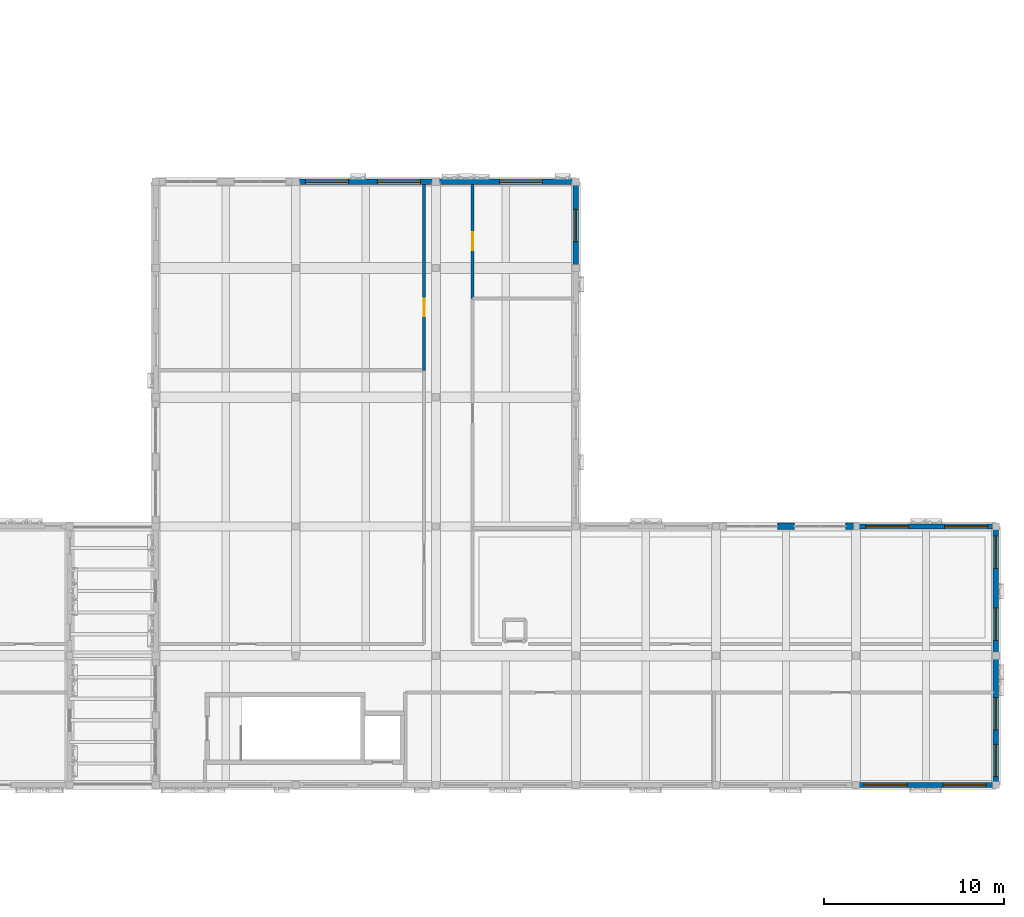
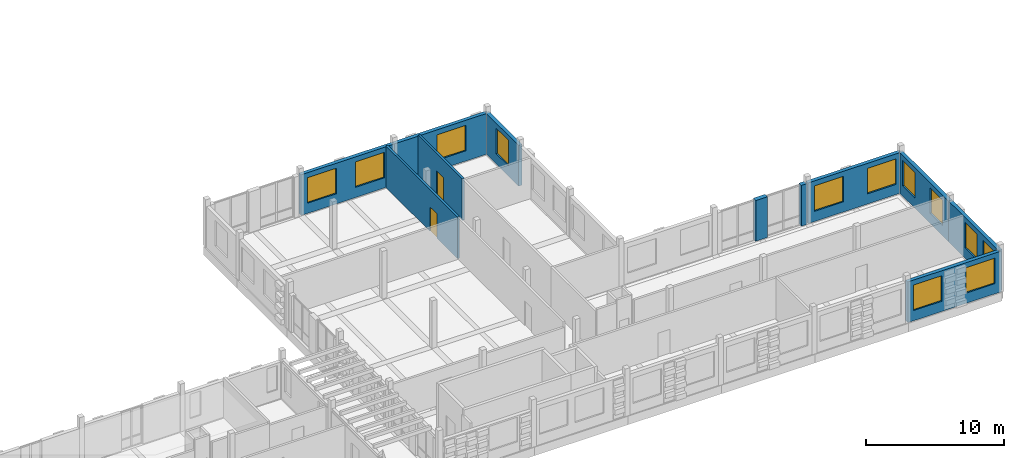
# One storey, part 76 of 99: 12 windows, 11 walls, 2 doors, 14 openings.
"""IFC4 building model written with IfcOpenShell, lengths in metres."""

from ifc_helpers import new_model, si_unit, direction, frame, frame_2d, origin, place, context, subcontext, project, spatial, rectangle, extrude, material, layer, layer_set, type_object, element, fill, save


model = new_model("IFC4")

# Units and contexts
model_context = context("Model", 3, precision=1e-05, world=origin(), true_north=direction((0.0, 1.0)))
body_context = subcontext(model_context, "Body", "Model", "MODEL_VIEW")
ifc_project = project(units=[si_unit("LENGTHUNIT", "METRE"), si_unit("AREAUNIT", "SQUARE_METRE"), si_unit("VOLUMEUNIT", "CUBIC_METRE"), si_unit("PLANEANGLEUNIT", "RADIAN"), si_unit("MASSUNIT", "GRAM", prefix="KILO")], contexts=[model_context])

# Site, building, storey
site_placement = place(None, origin())
site = spatial("IfcSite", under=ifc_project, at=site_placement, CompositionType="ELEMENT")
building_placement = place(site_placement, origin())
building = spatial("IfcBuilding", under=site, at=building_placement, Name="Kahlenmark Community Centre", CompositionType="ELEMENT")
storey_placement = place(building_placement, frame((0.0, 0.0, 5.39990234375)))
storey = spatial("IfcBuildingStorey", under=building, at=storey_placement, Name="L01", CompositionType="ELEMENT", Elevation=5.39990234375)

# Wall, openings, windows
ifc_material_1 = material(Name="Cross-laminated timber CLT C24", Category="wood")
ifc_layer_1 = layer(ifc_material_1, 0.300048828125)
ifc_layer_set_1 = layer_set([ifc_layer_1], Name="Cross-laminated timber CLT C24")
wall_type_1 = type_object("IfcWallType", Name="WT-EW-300", PredefinedType="SOLIDWALL", material=ifc_layer_set_1)
wall_1_placement = place(storey_placement, frame((160.60009765625, 8.800048828125, 0.0), z_axis=(0.0, 0.0, 1.0), x_axis=(1.0, 0.0, 0.0)))
wall_1 = element("IfcWall", 1, at=wall_1_placement, inside=storey, type_object=wall_type_1, Name="Exterior wall WL-EXT-L01-0387", PredefinedType="SOLIDWALL", context=body_context, shape_type="SweptSolid", body=[
    extrude(rectangle(XDim=7.7998046875, YDim=0.300048828125, at=frame_2d((3.89990234375, 0.0))), origin(), (0.0, 0.0, 1.0), 3.590087890625),
])
opening_1_placement = place(wall_1_placement, frame((0.4599609375, 0.0, 0.89990234375)))
opening_1 = element("IfcOpeningElement", 2, at=opening_1_placement, cuts=wall_1, Name="Opening W-240X225", PredefinedType="OPENING", context=body_context, shape_type="SweptSolid", body=[
    extrude(rectangle(XDim=2.39990234375, YDim=2.25, at=frame_2d((1.199951171875, 1.125))), frame((0.0, 0.159912109375, 0.0), z_axis=(0.0, -1.0, 0.0), x_axis=(1.0, 0.0, 0.0)), (0.0, 0.0, 1.0), 0.320068359375),
])
opening_2_placement = place(wall_1_placement, frame((4.860107421875, 0.0, 0.89990234375)))
opening_2 = element("IfcOpeningElement", 3, at=opening_2_placement, cuts=wall_1, Name="Opening W-240X225", PredefinedType="OPENING", context=body_context, shape_type="SweptSolid", body=[
    extrude(rectangle(XDim=2.39990234375, YDim=2.25, at=frame_2d((1.199951171875, 1.125))), frame((0.0, 0.159912109375, 0.0), z_axis=(0.0, -1.0, 0.0), x_axis=(1.0, 0.0, 0.0)), (0.0, 0.0, 1.0), 0.320068359375),
])
ifc_material_2 = material(Name="Triple low-e insulated glazing in timber-aluminium frame", Category="wood")
window_type_1 = type_object("IfcWindowType", Name="WNT-240X225", PartitioningType="TRIPLE_PANEL_VERTICAL", PredefinedType="WINDOW", material=ifc_material_2)
window_1_placement = place(opening_1_placement, origin())
window_1 = element("IfcWindow", 4, at=window_1_placement, inside=storey, type_object=window_type_1, Name="Window W-240X225 #0242", OverallHeight=2.25, OverallWidth=2.39990234375, PartitioningType="TRIPLE_PANEL_VERTICAL", PredefinedType="WINDOW", context=body_context, shape_type="SweptSolid", body=[
    extrude(rectangle(XDim=2.39990234375, YDim=2.25, at=frame_2d((1.199951171875, 1.125))), frame((0.0, 0.030029296875, 0.0), z_axis=(0.0, -1.0, 0.0), x_axis=(1.0, 0.0, 0.0)), (0.0, 0.0, 1.0), 0.06005859375),
])
fill(opening_1, window_1)
window_2_placement = place(opening_2_placement, origin())
window_2 = element("IfcWindow", 5, at=window_2_placement, inside=storey, type_object=window_type_1, Name="Window W-240X225 #0243", OverallHeight=2.25, OverallWidth=2.39990234375, PartitioningType="TRIPLE_PANEL_VERTICAL", PredefinedType="WINDOW", context=body_context, shape_type="SweptSolid", body=[
    extrude(rectangle(XDim=2.39990234375, YDim=2.25, at=frame_2d((1.199951171875, 1.125))), frame((0.0, 0.030029296875, 0.0), z_axis=(0.0, -1.0, 0.0), x_axis=(1.0, 0.0, 0.0)), (0.0, 0.0, 1.0), 0.06005859375),
])
fill(opening_2, window_2)

wall_2_placement = place(storey_placement, frame((168.39990234375, 23.199951171875, 0.0), z_axis=(0.0, 0.0, 1.0), x_axis=(-1.0, 0.0, 0.0)))
wall_2 = element("IfcWall", 6, at=wall_2_placement, inside=storey, type_object=wall_type_1, Name="Exterior wall WL-EXT-L01-0392", PredefinedType="SOLIDWALL", context=body_context, shape_type="SweptSolid", body=[
    extrude(rectangle(XDim=7.7998046875, YDim=0.300048828125, at=frame_2d((3.89990234375, 0.0))), origin(), (0.0, 0.0, 1.0), 3.590087890625),
])
opening_3_placement = place(wall_2_placement, frame((0.4599609375, 0.0, 0.89990234375)))
opening_3 = element("IfcOpeningElement", 7, at=opening_3_placement, cuts=wall_2, Name="Opening W-240X225", PredefinedType="OPENING", context=body_context, shape_type="SweptSolid", body=[
    extrude(rectangle(XDim=2.39990234375, YDim=2.25, at=frame_2d((1.199951171875, 1.125))), frame((0.0, 0.159912109375, 0.0), z_axis=(0.0, -1.0, 0.0), x_axis=(1.0, 0.0, 0.0)), (0.0, 0.0, 1.0), 0.320068359375),
])
opening_4_placement = place(wall_2_placement, frame((4.860107421875, 0.0, 0.89990234375)))
opening_4 = element("IfcOpeningElement", 8, at=opening_4_placement, cuts=wall_2, Name="Opening W-240X225", PredefinedType="OPENING", context=body_context, shape_type="SweptSolid", body=[
    extrude(rectangle(XDim=2.39990234375, YDim=2.25, at=frame_2d((1.199951171875, 1.125))), frame((0.0, 0.159912109375, 0.0), z_axis=(0.0, -1.0, 0.0), x_axis=(1.0, 0.0, 0.0)), (0.0, 0.0, 1.0), 0.320068359375),
])
window_3_placement = place(opening_3_placement, origin())
window_3 = element("IfcWindow", 9, at=window_3_placement, inside=storey, type_object=window_type_1, Name="Window W-240X225 #0246", OverallHeight=2.25, OverallWidth=2.39990234375, PartitioningType="TRIPLE_PANEL_VERTICAL", PredefinedType="WINDOW", context=body_context, shape_type="SweptSolid", body=[
    extrude(rectangle(XDim=2.39990234375, YDim=2.25, at=frame_2d((1.199951171875, 1.125))), frame((0.0, 0.030029296875, 0.0), z_axis=(0.0, -1.0, 0.0), x_axis=(1.0, 0.0, 0.0)), (0.0, 0.0, 1.0), 0.06005859375),
])
fill(opening_3, window_3)
window_4_placement = place(opening_4_placement, origin())
window_4 = element("IfcWindow", 10, at=window_4_placement, inside=storey, type_object=window_type_1, Name="Window W-240X225 #0247", OverallHeight=2.25, OverallWidth=2.39990234375, PartitioningType="TRIPLE_PANEL_VERTICAL", PredefinedType="WINDOW", context=body_context, shape_type="SweptSolid", body=[
    extrude(rectangle(XDim=2.39990234375, YDim=2.25, at=frame_2d((1.199951171875, 1.125))), frame((0.0, 0.030029296875, 0.0), z_axis=(0.0, -1.0, 0.0), x_axis=(1.0, 0.0, 0.0)), (0.0, 0.0, 1.0), 0.06005859375),
])
fill(opening_4, window_4)

wall_3_placement = place(storey_placement, frame((168.39990234375, 8.800048828125, 0.0), z_axis=(0.0, 0.0, 1.0), x_axis=(0.0, 1.0, 0.0)))
wall_3 = element("IfcWall", 11, at=wall_3_placement, inside=storey, type_object=wall_type_1, Name="Exterior wall WL-EXT-L01-0397", PredefinedType="SOLIDWALL", context=body_context, shape_type="SweptSolid", body=[
    extrude(rectangle(XDim=7.199951171875, YDim=0.300048828125, at=frame_2d((3.60009765625, 0.0))), origin(), (0.0, 0.0, 1.0), 3.590087890625),
])
opening_5_placement = place(wall_3_placement, frame((0.4599609375, 0.0, 0.89990234375)))
opening_5 = element("IfcOpeningElement", 12, at=opening_5_placement, cuts=wall_3, Name="Opening W-180X225", PredefinedType="OPENING", context=body_context, shape_type="SweptSolid", body=[
    extrude(rectangle(XDim=1.800048828125, YDim=2.25, at=frame_2d((0.89990234375, 1.125))), frame((0.0, 0.159912109375, 0.0), z_axis=(0.0, -1.0, 0.0), x_axis=(1.0, 0.0, 0.0)), (0.0, 0.0, 1.0), 0.320068359375),
])
opening_6_placement = place(wall_3_placement, frame((3.06005859375, 0.0, 0.89990234375)))
opening_6 = element("IfcOpeningElement", 13, at=opening_6_placement, cuts=wall_3, Name="Opening W-180X225", PredefinedType="OPENING", context=body_context, shape_type="SweptSolid", body=[
    extrude(rectangle(XDim=1.800048828125, YDim=2.25, at=frame_2d((0.89990234375, 1.125))), frame((0.0, 0.159912109375, 0.0), z_axis=(0.0, -1.0, 0.0), x_axis=(1.0, 0.0, 0.0)), (0.0, 0.0, 1.0), 0.320068359375),
])
window_type_2 = type_object("IfcWindowType", Name="WNT-180X225", PartitioningType="DOUBLE_PANEL_VERTICAL", PredefinedType="WINDOW", material=ifc_material_2)
window_5_placement = place(opening_5_placement, origin())
window_5 = element("IfcWindow", 14, at=window_5_placement, inside=storey, type_object=window_type_2, Name="Window W-180X225 #0248", OverallHeight=2.25, OverallWidth=1.800048828125, PartitioningType="DOUBLE_PANEL_VERTICAL", PredefinedType="WINDOW", context=body_context, shape_type="SweptSolid", body=[
    extrude(rectangle(XDim=1.800048828125, YDim=2.25, at=frame_2d((0.89990234375, 1.125))), frame((0.0, 0.030029296875, 0.0), z_axis=(0.0, -1.0, 0.0), x_axis=(1.0, 0.0, 0.0)), (0.0, 0.0, 1.0), 0.06005859375),
])
fill(opening_5, window_5)
window_6_placement = place(opening_6_placement, origin())
window_6 = element("IfcWindow", 15, at=window_6_placement, inside=storey, type_object=window_type_2, Name="Window W-180X225 #0249", OverallHeight=2.25, OverallWidth=1.800048828125, PartitioningType="DOUBLE_PANEL_VERTICAL", PredefinedType="WINDOW", context=body_context, shape_type="SweptSolid", body=[
    extrude(rectangle(XDim=1.800048828125, YDim=2.25, at=frame_2d((0.89990234375, 1.125))), frame((0.0, 0.030029296875, 0.0), z_axis=(0.0, -1.0, 0.0), x_axis=(1.0, 0.0, 0.0)), (0.0, 0.0, 1.0), 0.06005859375),
])
fill(opening_6, window_6)

wall_4_placement = place(storey_placement, frame((168.39990234375, 16.0, 0.0), z_axis=(0.0, 0.0, 1.0), x_axis=(0.0, 1.0, 0.0)))
wall_4 = element("IfcWall", 16, at=wall_4_placement, inside=storey, type_object=wall_type_1, Name="Exterior wall WL-EXT-L01-0398", PredefinedType="SOLIDWALL", context=body_context, shape_type="SweptSolid", body=[
    extrude(rectangle(XDim=7.199951171875, YDim=0.300048828125, at=frame_2d((3.60009765625, 0.0))), origin(), (0.0, 0.0, 1.0), 3.590087890625),
])
opening_7_placement = place(wall_4_placement, frame((0.860107421875, 0.0, 0.89990234375)))
opening_7 = element("IfcOpeningElement", 17, at=opening_7_placement, cuts=wall_4, Name="Opening W-180X225", PredefinedType="OPENING", context=body_context, shape_type="SweptSolid", body=[
    extrude(rectangle(XDim=1.800048828125, YDim=2.25, at=frame_2d((0.89990234375, 1.125))), frame((0.0, 0.159912109375, 0.0), z_axis=(0.0, -1.0, 0.0), x_axis=(1.0, 0.0, 0.0)), (0.0, 0.0, 1.0), 0.320068359375),
])
opening_8_placement = place(wall_4_placement, frame((4.860107421875, 0.0, 0.89990234375)))
opening_8 = element("IfcOpeningElement", 18, at=opening_8_placement, cuts=wall_4, Name="Opening W-180X225", PredefinedType="OPENING", context=body_context, shape_type="SweptSolid", body=[
    extrude(rectangle(XDim=1.800048828125, YDim=2.25, at=frame_2d((0.89990234375, 1.125))), frame((0.0, 0.159912109375, 0.0), z_axis=(0.0, -1.0, 0.0), x_axis=(1.0, 0.0, 0.0)), (0.0, 0.0, 1.0), 0.320068359375),
])
window_7_placement = place(opening_7_placement, origin())
window_7 = element("IfcWindow", 19, at=window_7_placement, inside=storey, type_object=window_type_2, Name="Window W-180X225 #0250", OverallHeight=2.25, OverallWidth=1.800048828125, PartitioningType="DOUBLE_PANEL_VERTICAL", PredefinedType="WINDOW", context=body_context, shape_type="SweptSolid", body=[
    extrude(rectangle(XDim=1.800048828125, YDim=2.25, at=frame_2d((0.89990234375, 1.125))), frame((0.0, 0.030029296875, 0.0), z_axis=(0.0, -1.0, 0.0), x_axis=(1.0, 0.0, 0.0)), (0.0, 0.0, 1.0), 0.06005859375),
])
fill(opening_7, window_7)
window_8_placement = place(opening_8_placement, origin())
window_8 = element("IfcWindow", 20, at=window_8_placement, inside=storey, type_object=window_type_2, Name="Window W-180X225 #0251", OverallHeight=2.25, OverallWidth=1.800048828125, PartitioningType="DOUBLE_PANEL_VERTICAL", PredefinedType="WINDOW", context=body_context, shape_type="SweptSolid", body=[
    extrude(rectangle(XDim=1.800048828125, YDim=2.25, at=frame_2d((0.89990234375, 1.125))), frame((0.0, 0.030029296875, 0.0), z_axis=(0.0, -1.0, 0.0), x_axis=(1.0, 0.0, 0.0)), (0.0, 0.0, 1.0), 0.06005859375),
])
fill(opening_8, window_8)

wall_5_placement = place(storey_placement, frame((137.199951171875, 42.39990234375, 0.0), z_axis=(0.0, 0.0, 1.0), x_axis=(-1.0, 0.0, 0.0)))
wall_5 = element("IfcWall", 21, at=wall_5_placement, inside=storey, type_object=wall_type_1, Name="Exterior wall WL-EXT-L01-0402", PredefinedType="SOLIDWALL", context=body_context, shape_type="SweptSolid", body=[
    extrude(rectangle(XDim=7.800048828125, YDim=0.300048828125, at=frame_2d((3.89990234375, 0.0))), origin(), (0.0, 0.0, 1.0), 3.590087890625),
])
opening_9_placement = place(wall_5_placement, frame((0.860107421875, 0.0, 0.89990234375)))
opening_9 = element("IfcOpeningElement", 22, at=opening_9_placement, cuts=wall_5, Name="Opening W-240X225", PredefinedType="OPENING", context=body_context, shape_type="SweptSolid", body=[
    extrude(rectangle(XDim=2.39990234375, YDim=2.25, at=frame_2d((1.199951171875, 1.125))), frame((0.0, 0.159912109375, 0.0), z_axis=(0.0, -1.0, 0.0), x_axis=(1.0, 0.0, 0.0)), (0.0, 0.0, 1.0), 0.320068359375),
])
opening_10_placement = place(wall_5_placement, frame((4.860107421875, 0.0, 0.89990234375)))
opening_10 = element("IfcOpeningElement", 23, at=opening_10_placement, cuts=wall_5, Name="Opening W-240X225", PredefinedType="OPENING", context=body_context, shape_type="SweptSolid", body=[
    extrude(rectangle(XDim=2.39990234375, YDim=2.25, at=frame_2d((1.199951171875, 1.125))), frame((0.0, 0.159912109375, 0.0), z_axis=(0.0, -1.0, 0.0), x_axis=(1.0, 0.0, 0.0)), (0.0, 0.0, 1.0), 0.320068359375),
])
window_9_placement = place(opening_9_placement, origin())
window_9 = element("IfcWindow", 24, at=window_9_placement, inside=storey, type_object=window_type_1, Name="Window W-240X225 #0252", OverallHeight=2.25, OverallWidth=2.39990234375, PartitioningType="TRIPLE_PANEL_VERTICAL", PredefinedType="WINDOW", context=body_context, shape_type="SweptSolid", body=[
    extrude(rectangle(XDim=2.39990234375, YDim=2.25, at=frame_2d((1.199951171875, 1.125))), frame((0.0, 0.030029296875, 0.0), z_axis=(0.0, -1.0, 0.0), x_axis=(1.0, 0.0, 0.0)), (0.0, 0.0, 1.0), 0.06005859375),
])
fill(opening_9, window_9)
window_10_placement = place(opening_10_placement, origin())
window_10 = element("IfcWindow", 25, at=window_10_placement, inside=storey, type_object=window_type_1, Name="Window W-240X225 #0253", OverallHeight=2.25, OverallWidth=2.39990234375, PartitioningType="TRIPLE_PANEL_VERTICAL", PredefinedType="WINDOW", context=body_context, shape_type="SweptSolid", body=[
    extrude(rectangle(XDim=2.39990234375, YDim=2.25, at=frame_2d((1.199951171875, 1.125))), frame((0.0, 0.030029296875, 0.0), z_axis=(0.0, -1.0, 0.0), x_axis=(1.0, 0.0, 0.0)), (0.0, 0.0, 1.0), 0.06005859375),
])
fill(opening_10, window_10)

# Wall, opening, window
wall_6_placement = place(storey_placement, frame((145.0, 42.39990234375, 0.0), z_axis=(0.0, 0.0, 1.0), x_axis=(-1.0, 0.0, 0.0)))
wall_6 = element("IfcWall", 26, at=wall_6_placement, inside=storey, type_object=wall_type_1, Name="Exterior wall WL-EXT-L01-0403", PredefinedType="SOLIDWALL", context=body_context, shape_type="SweptSolid", body=[
    extrude(rectangle(XDim=7.800048828125, YDim=0.300048828125, at=frame_2d((3.89990234375, 0.0))), origin(), (0.0, 0.0, 1.0), 3.590087890625),
])
opening_11_placement = place(wall_6_placement, frame((1.860107421875, 0.0, 0.89990234375)))
opening_11 = element("IfcOpeningElement", 27, at=opening_11_placement, cuts=wall_6, Name="Opening W-240X225", PredefinedType="OPENING", context=body_context, shape_type="SweptSolid", body=[
    extrude(rectangle(XDim=2.39990234375, YDim=2.25, at=frame_2d((1.199951171875, 1.125))), frame((0.0, 0.159912109375, 0.0), z_axis=(0.0, -1.0, 0.0), x_axis=(1.0, 0.0, 0.0)), (0.0, 0.0, 1.0), 0.320068359375),
])
window_11_placement = place(opening_11_placement, origin())
window_11 = element("IfcWindow", 28, at=window_11_placement, inside=storey, type_object=window_type_1, Name="Window W-240X225 #0254", OverallHeight=2.25, OverallWidth=2.39990234375, PartitioningType="TRIPLE_PANEL_VERTICAL", PredefinedType="WINDOW", context=body_context, shape_type="SweptSolid", body=[
    extrude(rectangle(XDim=2.39990234375, YDim=2.25, at=frame_2d((1.199951171875, 1.125))), frame((0.0, 0.030029296875, 0.0), z_axis=(0.0, -1.0, 0.0), x_axis=(1.0, 0.0, 0.0)), (0.0, 0.0, 1.0), 0.06005859375),
])
fill(opening_11, window_11)

wall_7_placement = place(storey_placement, frame((145.0, 37.60009765625, 0.0), z_axis=(0.0, 0.0, 1.0), x_axis=(0.0, 1.0, 0.0)))
wall_7 = element("IfcWall", 29, at=wall_7_placement, inside=storey, type_object=wall_type_1, Name="Exterior wall WL-EXT-L01-0411", PredefinedType="SOLIDWALL", context=body_context, shape_type="SweptSolid", body=[
    extrude(rectangle(XDim=4.7998046875, YDim=0.300048828125, at=frame_2d((2.39990234375, 0.0))), origin(), (0.0, 0.0, 1.0), 3.590087890625),
])
opening_12_placement = place(wall_7_placement, frame((1.4599609375, 0.0, 0.89990234375)))
opening_12 = element("IfcOpeningElement", 30, at=opening_12_placement, cuts=wall_7, Name="Opening W-180X225", PredefinedType="OPENING", context=body_context, shape_type="SweptSolid", body=[
    extrude(rectangle(XDim=1.800048828125, YDim=2.25, at=frame_2d((0.89990234375, 1.125))), frame((0.0, 0.159912109375, 0.0), z_axis=(0.0, -1.0, 0.0), x_axis=(1.0, 0.0, 0.0)), (0.0, 0.0, 1.0), 0.320068359375),
])
window_12_placement = place(opening_12_placement, origin())
window_12 = element("IfcWindow", 31, at=window_12_placement, inside=storey, type_object=window_type_2, Name="Window W-180X225 #0262", OverallHeight=2.25, OverallWidth=1.800048828125, PartitioningType="DOUBLE_PANEL_VERTICAL", PredefinedType="WINDOW", context=body_context, shape_type="SweptSolid", body=[
    extrude(rectangle(XDim=1.800048828125, YDim=2.25, at=frame_2d((0.89990234375, 1.125))), frame((0.0, 0.030029296875, 0.0), z_axis=(0.0, -1.0, 0.0), x_axis=(1.0, 0.0, 0.0)), (0.0, 0.0, 1.0), 0.06005859375),
])
fill(opening_12, window_12)

# Walls
ifc_material_3 = material(Name="Danube limestone masonry", Category="masonry")
ifc_layer_2 = layer(ifc_material_3, 0.360107421875)
ifc_layer_set_2 = layer_set([ifc_layer_2], Name="Danube limestone masonry")
wall_type_2 = type_object("IfcWallType", Name="WT-EW-360", PredefinedType="SOLIDWALL", material=ifc_layer_set_2)
wall_8_placement = place(storey_placement, frame((157.179931640625, 23.199951171875, 0.0), z_axis=(0.0, 0.0, 1.0), x_axis=(-1.0, 0.0, 0.0)))
element("IfcWall", 32, at=wall_8_placement, inside=storey, type_object=wall_type_2, Name="Postmodern limestone pier 0389", PredefinedType="SOLIDWALL", context=body_context, shape_type="SweptSolid", body=[
    extrude(rectangle(XDim=0.9599609375, YDim=0.360107421875, at=frame_2d((0.47998046875, 0.0))), origin(), (0.0, 0.0, 1.0), 3.590087890625),
])
wall_9_placement = place(storey_placement, frame((160.469970703125, 23.199951171875, 0.0), z_axis=(0.0, 0.0, 1.0), x_axis=(-1.0, 0.0, 0.0)))
element("IfcWall", 33, at=wall_9_placement, inside=storey, type_object=wall_type_2, Name="Column closure pier 0390", PredefinedType="SOLIDWALL", context=body_context, shape_type="SweptSolid", body=[
    extrude(rectangle(XDim=0.449951171875, YDim=0.360107421875, at=frame_2d((0.22509765625, 0.0))), origin(), (0.0, 0.0, 1.0), 3.590087890625),
])

# Wall, opening, door
ifc_material_4 = material(Name="Gypsum plasterboard partition", Category="gypsum")
ifc_layer_3 = layer(ifc_material_4, 0.179931640625)
ifc_layer_set_3 = layer_set([ifc_layer_3], Name="Gypsum plasterboard partition")
wall_type_3 = type_object("IfcWallType", Name="WT-PW-180", PredefinedType="PARTITIONING", material=ifc_layer_set_3)
wall_10_placement = place(storey_placement, frame((136.550048828125, 31.89990234375, 0.0), z_axis=(0.0, 0.0, 1.0), x_axis=(0.0, 1.0, 0.0)))
wall_10 = element("IfcWall", 34, at=wall_10_placement, inside=storey, type_object=wall_type_3, Name="Interior partition WL-INT-L01-0127", PredefinedType="PARTITIONING", context=body_context, shape_type="SweptSolid", body=[
    extrude(rectangle(XDim=10.360107421875, YDim=0.179931640625, at=frame_2d((5.18017578125, 0.0))), origin(), (0.0, 0.0, 1.0), 3.670166015625),
])
opening_13_placement = place(wall_10_placement, frame((2.9951171875, 0.0, -0.010009765625)))
opening_13 = element("IfcOpeningElement", 35, at=opening_13_placement, cuts=wall_10, Name="Opening D-L01-076", PredefinedType="OPENING", context=body_context, shape_type="SweptSolid", body=[
    extrude(rectangle(XDim=1.0, YDim=2.159912109375, at=frame_2d((0.5, 1.080078125))), frame((0.0, 0.099853515625, 0.0), z_axis=(0.0, -1.0, 0.0), x_axis=(1.0, 0.0, 0.0)), (0.0, 0.0, 1.0), 0.199951171875),
])
ifc_material_5 = material(Name="Oak timber veneer door leaf", Category="wood")
door_type = type_object("IfcDoorType", Name="DT-INT-100X215", OperationType="NOTDEFINED", PredefinedType="DOOR", material=ifc_material_5)
door_1_placement = place(opening_13_placement, frame((0.0, 0.0, 0.010009765625)))
door_1 = element("IfcDoor", 36, at=door_1_placement, inside=storey, type_object=door_type, Name="Interior door D-L01-076", OperationType="SINGLE_SWING_LEFT", OverallHeight=2.14990234375, OverallWidth=1.0, PredefinedType="DOOR", context=body_context, shape_type="SweptSolid", body=[
    extrude(rectangle(XDim=1.0, YDim=2.14990234375, at=frame_2d((0.5, 1.074951171875))), frame((0.0, 0.02490234375, 0.0), z_axis=(0.0, -1.0, 0.0), x_axis=(1.0, 0.0, 0.0)), (0.0, 0.0, 1.0), 0.050048828125),
])
fill(opening_13, door_1)

wall_11_placement = place(storey_placement, frame((139.25, 35.89990234375, 0.0), z_axis=(0.0, 0.0, 1.0), x_axis=(0.0, 1.0, 0.0)))
wall_11 = element("IfcWall", 37, at=wall_11_placement, inside=storey, type_object=wall_type_3, Name="Interior partition WL-INT-L01-0134", PredefinedType="PARTITIONING", context=body_context, shape_type="SweptSolid", body=[
    extrude(rectangle(XDim=6.360107421875, YDim=0.179931640625, at=frame_2d((3.18017578125, 0.0))), origin(), (0.0, 0.0, 1.0), 3.670166015625),
])
opening_14_placement = place(wall_11_placement, frame((2.679931640625, 0.0, -0.010009765625)))
opening_14 = element("IfcOpeningElement", 38, at=opening_14_placement, cuts=wall_11, Name="Opening D-L01-079", PredefinedType="OPENING", context=body_context, shape_type="SweptSolid", body=[
    extrude(rectangle(XDim=1.0, YDim=2.159912109375, at=frame_2d((0.5, 1.080078125))), frame((0.0, 0.099853515625, 0.0), z_axis=(0.0, -1.0, 0.0), x_axis=(1.0, 0.0, 0.0)), (0.0, 0.0, 1.0), 0.199951171875),
])
door_2_placement = place(opening_14_placement, frame((0.0, 0.0, 0.010009765625)))
door_2 = element("IfcDoor", 39, at=door_2_placement, inside=storey, type_object=door_type, Name="Interior door D-L01-079", OperationType="SINGLE_SWING_RIGHT", OverallHeight=2.14990234375, OverallWidth=1.0, PredefinedType="DOOR", context=body_context, shape_type="SweptSolid", body=[
    extrude(rectangle(XDim=1.0, YDim=2.14990234375, at=frame_2d((0.5, 1.074951171875))), frame((0.0, 0.02490234375, 0.0), z_axis=(0.0, -1.0, 0.0), x_axis=(1.0, 0.0, 0.0)), (0.0, 0.0, 1.0), 0.050048828125),
])
fill(opening_14, door_2)

save(model, "model.ifc")
